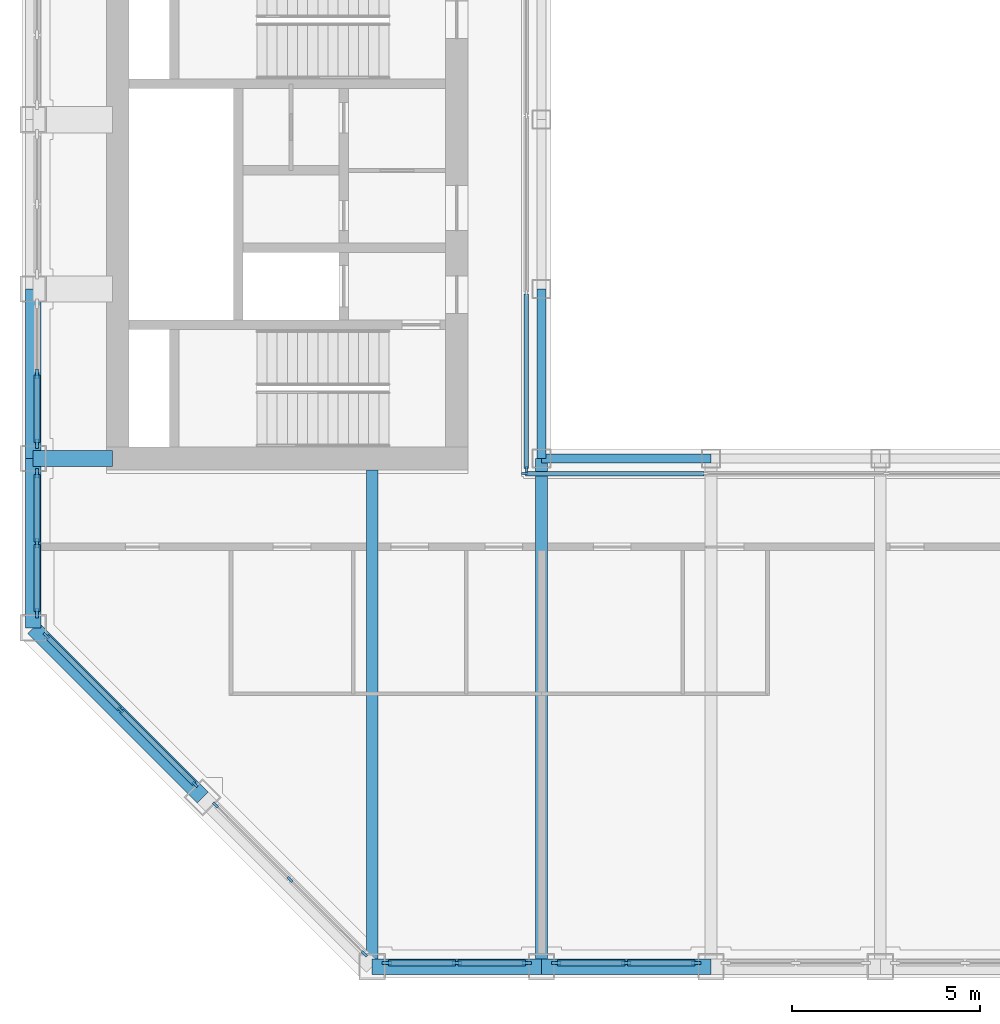
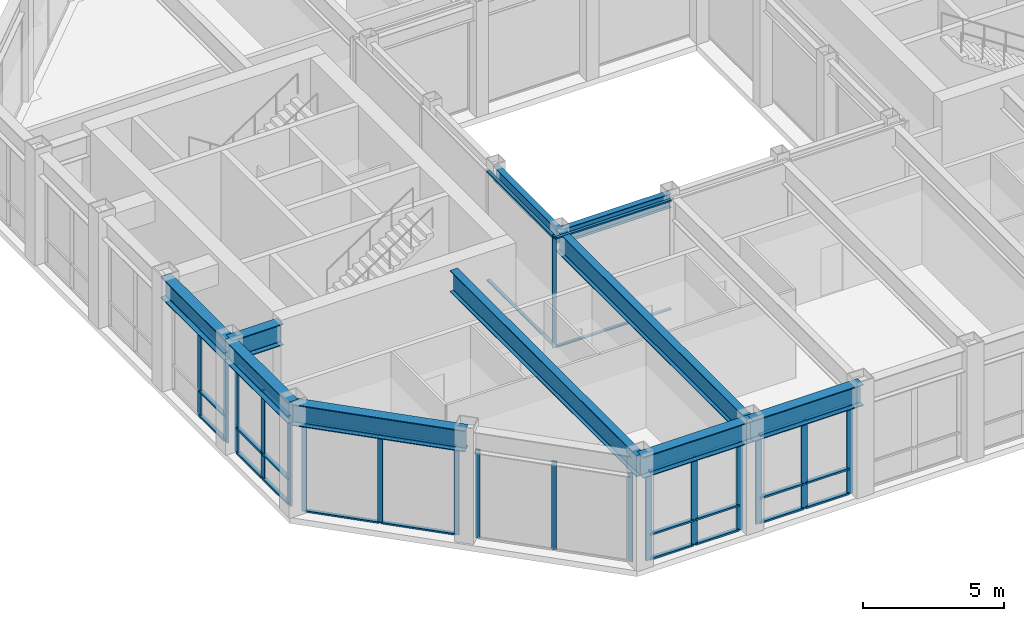
# One storey, part 2 of 15: 48 members, 10 beams, 8 elements without a shape of their own.
"""IFC4 building model written with IfcOpenShell, lengths in metres."""

from ifc_helpers import new_model, si_unit, direction, frame, origin, origin_2d, place, context, subcontext, project, spatial, rectangle, i_section, extrude, material, material_profile, profile_set, type_object, element, aggregate, save


model = new_model("IFC4")

# Units and contexts
model_context = context("Model", 3, precision=1e-05, world=origin(), true_north=direction((0.0, 1.0)))
body_context = subcontext(model_context, "Body", "Model", "MODEL_VIEW")
ifc_project = project(units=[si_unit("LENGTHUNIT", "METRE"), si_unit("AREAUNIT", "SQUARE_METRE"), si_unit("VOLUMEUNIT", "CUBIC_METRE"), si_unit("PLANEANGLEUNIT", "RADIAN"), si_unit("MASSUNIT", "GRAM", prefix="KILO")], contexts=[model_context])

# Site, building, storey
site_placement = place(None, origin())
site = spatial("IfcSite", under=ifc_project, at=site_placement, CompositionType="ELEMENT")
building_placement = place(site_placement, origin())
building = spatial("IfcBuilding", under=site, at=building_placement, Name="Msasa Ring Tower", CompositionType="ELEMENT")
storey_placement = place(building_placement, frame((0.0, 0.0, 257.050048828125)))
storey = spatial("IfcBuildingStorey", under=building, at=storey_placement, Name="L67", CompositionType="ELEMENT", Elevation=257.050048828125)

# Curtain wall, members
ifc_material_1 = material(Name="Aluminium curtain wall with clear glass", Category="aluminium")
curtain_wall_type_1 = type_object("IfcCurtainWallType", Name="CW-C CHAMFER CORNER CURTAIN WALL", PredefinedType="NOTDEFINED", material=ifc_material_1)
curtain_wall_1_placement = place(storey_placement, origin())
curtain_wall_1 = element("IfcCurtainWall", 1, at=curtain_wall_1_placement, inside=storey, type_object=curtain_wall_type_1, Name="Chamfer corner curtain wall SW L67", PredefinedType="NOTDEFINED")
ifc_material_2 = material(Name="Aluminium mullion", Category="aluminium")
ifc_material_profile_1 = material_profile(ifc_material_2, rectangle(XDim=0.06494140625, YDim=0.179931640625, at=origin_2d()), Name="AL 65x180")
ifc_profile_set_1 = profile_set([ifc_material_profile_1], Name="Aluminium mullion")
member_type_1 = type_object("IfcMemberType", Name="CW-C MULLION 65x180", PredefinedType="MULLION", material=ifc_profile_set_1)
member_1_placement = place(storey_placement, frame((-19.9052734375, -11.453369140625, 0.0), z_axis=(0.0, 0.0, 1.0), x_axis=(0.707106781187, 0.707106781187, 0.0)))
member_1 = element("IfcMember", 2, at=member_1_placement, type_object=member_type_1, Name="CW-C mullion 1", PredefinedType="MULLION", context=body_context, shape_type="SweptSolid", body=[
    extrude(rectangle(XDim=0.06494140625, YDim=0.179931640625, at=origin_2d()), origin(), (0.0, 0.0, 1.0), 3.828857421875),
])
member_2_placement = place(storey_placement, frame((-17.92919921875, -13.42919921875, 0.0), z_axis=(0.0, 0.0, 1.0), x_axis=(0.707106781187, 0.707106781187, 0.0)))
member_2 = element("IfcMember", 3, at=member_2_placement, type_object=member_type_1, Name="CW-C mullion 2", PredefinedType="MULLION", context=body_context, shape_type="SweptSolid", body=[
    extrude(rectangle(XDim=0.06494140625, YDim=0.179931640625, at=origin_2d()), origin(), (0.0, 0.0, 1.0), 3.828857421875),
])
member_3_placement = place(storey_placement, frame((-15.953369140625, -15.4052734375, 0.0), z_axis=(0.0, 0.0, 1.0), x_axis=(0.707106781187, 0.707106781187, 0.0)))
member_3 = element("IfcMember", 4, at=member_3_placement, type_object=member_type_1, Name="CW-C mullion 3", PredefinedType="MULLION", context=body_context, shape_type="SweptSolid", body=[
    extrude(rectangle(XDim=0.06494140625, YDim=0.179931640625, at=origin_2d()), origin(), (0.0, 0.0, 1.0), 3.828857421875),
])

curtain_wall_2_placement = place(storey_placement, origin())
curtain_wall_2 = element("IfcCurtainWall", 5, at=curtain_wall_2_placement, inside=storey, type_object=curtain_wall_type_1, Name="Chamfer corner curtain wall SW L67", PredefinedType="NOTDEFINED")
member_4_placement = place(storey_placement, frame((-15.4052734375, -15.953369140625, 0.0), z_axis=(0.0, 0.0, 1.0), x_axis=(0.707106781187, 0.707106781187, 0.0)))
member_4 = element("IfcMember", 6, at=member_4_placement, type_object=member_type_1, Name="CW-C mullion 1", PredefinedType="MULLION", context=body_context, shape_type="SweptSolid", body=[
    extrude(rectangle(XDim=0.06494140625, YDim=0.179931640625, at=origin_2d()), origin(), (0.0, 0.0, 1.0), 3.828857421875),
])
member_5_placement = place(storey_placement, frame((-13.42919921875, -17.92919921875, 0.0), z_axis=(0.0, 0.0, 1.0), x_axis=(0.707106781187, 0.707106781187, 0.0)))
member_5 = element("IfcMember", 7, at=member_5_placement, type_object=member_type_1, Name="CW-C mullion 2", PredefinedType="MULLION", context=body_context, shape_type="SweptSolid", body=[
    extrude(rectangle(XDim=0.06494140625, YDim=0.179931640625, at=origin_2d()), origin(), (0.0, 0.0, 1.0), 3.828857421875),
])
member_6_placement = place(storey_placement, frame((-11.453369140625, -19.9052734375, 0.0), z_axis=(0.0, 0.0, 1.0), x_axis=(0.707106781187, 0.707106781187, 0.0)))
member_6 = element("IfcMember", 8, at=member_6_placement, type_object=member_type_1, Name="CW-C mullion 3", PredefinedType="MULLION", context=body_context, shape_type="SweptSolid", body=[
    extrude(rectangle(XDim=0.06494140625, YDim=0.179931640625, at=origin_2d()), origin(), (0.0, 0.0, 1.0), 3.828857421875),
])
aggregate(curtain_wall_2, [member_4, member_5, member_6])

# Member
ifc_material_3 = material(Name="Aluminium transom", Category="aluminium")
ifc_material_profile_2 = material_profile(ifc_material_3, rectangle(XDim=0.139892578125, YDim=0.06494140625, at=origin_2d()), Name="AL 65x140")
ifc_profile_set_2 = profile_set([ifc_material_profile_2], Name="Aluminium transom")
member_type_2 = type_object("IfcMemberType", Name="CW-C TRANSOM 65x140", PredefinedType="USERDEFINED", material=ifc_profile_set_2)
member_7_placement = place(storey_placement, frame((-19.88232421875, -11.476318359375, 0.032470703125), z_axis=(0.707106781187, -0.707106781187, 0.0), x_axis=(0.707106781187, 0.707106781187, 0.0)))
member_7 = element("IfcMember", 9, at=member_7_placement, type_object=member_type_2, Name="CW-C transom 1.1", ObjectType="TRANSOM", PredefinedType="USERDEFINED", context=body_context, shape_type="SweptSolid", body=[
    extrude(rectangle(XDim=0.139892578125, YDim=0.06494140625, at=origin_2d()), origin(), (0.0, 0.0, 1.0), 2.729248046875),
])

member_8_placement = place(storey_placement, frame((-19.88232421875, -11.476318359375, 3.79638671875), z_axis=(0.707106781187, -0.707106781187, 0.0), x_axis=(0.707106781187, 0.707106781187, 0.0)))
member_8 = element("IfcMember", 10, at=member_8_placement, type_object=member_type_2, Name="CW-C transom 1.2", ObjectType="TRANSOM", PredefinedType="USERDEFINED", context=body_context, shape_type="SweptSolid", body=[
    extrude(rectangle(XDim=0.139892578125, YDim=0.06494140625, at=origin_2d()), origin(), (0.0, 0.0, 1.0), 2.729248046875),
])

member_9_placement = place(storey_placement, frame((-17.90625, -13.452392578125, 0.032470703125), z_axis=(0.707106781187, -0.707106781187, 0.0), x_axis=(0.707106781187, 0.707106781187, 0.0)))
member_9 = element("IfcMember", 11, at=member_9_placement, type_object=member_type_2, Name="CW-C transom 2.1", ObjectType="TRANSOM", PredefinedType="USERDEFINED", context=body_context, shape_type="SweptSolid", body=[
    extrude(rectangle(XDim=0.139892578125, YDim=0.06494140625, at=origin_2d()), origin(), (0.0, 0.0, 1.0), 2.729248046875),
])

member_10_placement = place(storey_placement, frame((-17.90625, -13.452392578125, 3.79638671875), z_axis=(0.707106781187, -0.707106781187, 0.0), x_axis=(0.707106781187, 0.707106781187, 0.0)))
member_10 = element("IfcMember", 12, at=member_10_placement, type_object=member_type_2, Name="CW-C transom 2.2", ObjectType="TRANSOM", PredefinedType="USERDEFINED", context=body_context, shape_type="SweptSolid", body=[
    extrude(rectangle(XDim=0.139892578125, YDim=0.06494140625, at=origin_2d()), origin(), (0.0, 0.0, 1.0), 2.729248046875),
])

aggregate(curtain_wall_1, [member_1, member_2, member_3, member_7, member_8, member_9, member_10])

# Curtain wall, members
ifc_material_4 = material(Name="Aluminium curtain wall with clear glass", Category="aluminium")
curtain_wall_type_2 = type_object("IfcCurtainWallType", Name="CW-S SKY LOBBY CURTAIN WALL", PredefinedType="NOTDEFINED", material=ifc_material_4)
curtain_wall_3_placement = place(storey_placement, origin())
curtain_wall_3 = element("IfcCurtainWall", 13, at=curtain_wall_3_placement, inside=storey, type_object=curtain_wall_type_2, Name="Sky lobby curtain wall S L67", PredefinedType="NOTDEFINED")
ifc_material_5 = material(Name="Aluminium mullion", Category="aluminium")
ifc_material_profile_3 = material_profile(ifc_material_5, rectangle(XDim=0.074951171875, YDim=0.25, at=origin_2d()), Name="AL 75x250")
ifc_profile_set_3 = profile_set([ifc_material_profile_3], Name="Aluminium mullion")
member_type_3 = type_object("IfcMemberType", Name="CW-S MULLION 75x250", PredefinedType="MULLION", material=ifc_profile_set_3)
member_11_placement = place(storey_placement, frame((-10.857421875, -20.14990234375, 0.0), z_axis=(0.0, 0.0, 1.0), x_axis=(0.0, 1.0, 0.0)))
member_11 = element("IfcMember", 14, at=member_11_placement, type_object=member_type_3, Name="CW-S mullion 1", PredefinedType="MULLION", context=body_context, shape_type="SweptSolid", body=[
    extrude(rectangle(XDim=0.074951171875, YDim=0.25, at=origin_2d()), origin(), (0.0, 0.0, 1.0), 3.828857421875),
])
member_12_placement = place(storey_placement, frame((-9.0, -20.14990234375, 0.0), z_axis=(0.0, 0.0, 1.0), x_axis=(0.0, 1.0, 0.0)))
member_12 = element("IfcMember", 15, at=member_12_placement, type_object=member_type_3, Name="CW-S mullion 2", PredefinedType="MULLION", context=body_context, shape_type="SweptSolid", body=[
    extrude(rectangle(XDim=0.074951171875, YDim=0.25, at=origin_2d()), origin(), (0.0, 0.0, 1.0), 3.828857421875),
])
member_13_placement = place(storey_placement, frame((-7.142578125, -20.14990234375, 0.0), z_axis=(0.0, 0.0, 1.0), x_axis=(0.0, 1.0, 0.0)))
member_13 = element("IfcMember", 16, at=member_13_placement, type_object=member_type_3, Name="CW-S mullion 3", PredefinedType="MULLION", context=body_context, shape_type="SweptSolid", body=[
    extrude(rectangle(XDim=0.074951171875, YDim=0.25, at=origin_2d()), origin(), (0.0, 0.0, 1.0), 3.828857421875),
])

curtain_wall_4_placement = place(storey_placement, origin())
curtain_wall_4 = element("IfcCurtainWall", 17, at=curtain_wall_4_placement, inside=storey, type_object=curtain_wall_type_2, Name="Sky lobby curtain wall S L67", PredefinedType="NOTDEFINED")
member_14_placement = place(storey_placement, frame((-6.357421875, -20.14990234375, 0.0), z_axis=(0.0, 0.0, 1.0), x_axis=(0.0, 1.0, 0.0)))
member_14 = element("IfcMember", 18, at=member_14_placement, type_object=member_type_3, Name="CW-S mullion 1", PredefinedType="MULLION", context=body_context, shape_type="SweptSolid", body=[
    extrude(rectangle(XDim=0.074951171875, YDim=0.25, at=origin_2d()), origin(), (0.0, 0.0, 1.0), 3.828857421875),
])
member_15_placement = place(storey_placement, frame((-4.5, -20.14990234375, 0.0), z_axis=(0.0, 0.0, 1.0), x_axis=(0.0, 1.0, 0.0)))
member_15 = element("IfcMember", 19, at=member_15_placement, type_object=member_type_3, Name="CW-S mullion 2", PredefinedType="MULLION", context=body_context, shape_type="SweptSolid", body=[
    extrude(rectangle(XDim=0.074951171875, YDim=0.25, at=origin_2d()), origin(), (0.0, 0.0, 1.0), 3.828857421875),
])
member_16_placement = place(storey_placement, frame((-2.642578125, -20.14990234375, 0.0), z_axis=(0.0, 0.0, 1.0), x_axis=(0.0, 1.0, 0.0)))
member_16 = element("IfcMember", 20, at=member_16_placement, type_object=member_type_3, Name="CW-S mullion 3", PredefinedType="MULLION", context=body_context, shape_type="SweptSolid", body=[
    extrude(rectangle(XDim=0.074951171875, YDim=0.25, at=origin_2d()), origin(), (0.0, 0.0, 1.0), 3.828857421875),
])

curtain_wall_5_placement = place(storey_placement, origin())
curtain_wall_5 = element("IfcCurtainWall", 21, at=curtain_wall_5_placement, inside=storey, type_object=curtain_wall_type_2, Name="Sky lobby curtain wall W L67", PredefinedType="NOTDEFINED")
member_17_placement = place(storey_placement, frame((-20.14990234375, -10.857421875, 0.0), z_axis=(0.0, 0.0, 1.0), x_axis=(-1.0, 0.0, 0.0)))
member_17 = element("IfcMember", 22, at=member_17_placement, type_object=member_type_3, Name="CW-S mullion 1", PredefinedType="MULLION", context=body_context, shape_type="SweptSolid", body=[
    extrude(rectangle(XDim=0.074951171875, YDim=0.25, at=origin_2d()), origin(), (0.0, 0.0, 1.0), 3.828857421875),
])
member_18_placement = place(storey_placement, frame((-20.14990234375, -9.0, 0.0), z_axis=(0.0, 0.0, 1.0), x_axis=(-1.0, 0.0, 0.0)))
member_18 = element("IfcMember", 23, at=member_18_placement, type_object=member_type_3, Name="CW-S mullion 2", PredefinedType="MULLION", context=body_context, shape_type="SweptSolid", body=[
    extrude(rectangle(XDim=0.074951171875, YDim=0.25, at=origin_2d()), origin(), (0.0, 0.0, 1.0), 3.828857421875),
])
member_19_placement = place(storey_placement, frame((-20.14990234375, -7.142578125, 0.0), z_axis=(0.0, 0.0, 1.0), x_axis=(-1.0, 0.0, 0.0)))
member_19 = element("IfcMember", 24, at=member_19_placement, type_object=member_type_3, Name="CW-S mullion 3", PredefinedType="MULLION", context=body_context, shape_type="SweptSolid", body=[
    extrude(rectangle(XDim=0.074951171875, YDim=0.25, at=origin_2d()), origin(), (0.0, 0.0, 1.0), 3.828857421875),
])

curtain_wall_6_placement = place(storey_placement, origin())
curtain_wall_6 = element("IfcCurtainWall", 25, at=curtain_wall_6_placement, inside=storey, type_object=curtain_wall_type_2, Name="Sky lobby curtain wall W L67", PredefinedType="NOTDEFINED")
member_20_placement = place(storey_placement, frame((-20.14990234375, -6.357421875, 0.0), z_axis=(0.0, 0.0, 1.0), x_axis=(-1.0, 0.0, 0.0)))
member_20 = element("IfcMember", 26, at=member_20_placement, type_object=member_type_3, Name="CW-S mullion 1", PredefinedType="MULLION", context=body_context, shape_type="SweptSolid", body=[
    extrude(rectangle(XDim=0.074951171875, YDim=0.25, at=origin_2d()), origin(), (0.0, 0.0, 1.0), 3.828857421875),
])
member_21_placement = place(storey_placement, frame((-20.14990234375, -4.5, 0.0), z_axis=(0.0, 0.0, 1.0), x_axis=(-1.0, 0.0, 0.0)))
member_21 = element("IfcMember", 27, at=member_21_placement, type_object=member_type_3, Name="CW-S mullion 2", PredefinedType="MULLION", context=body_context, shape_type="SweptSolid", body=[
    extrude(rectangle(XDim=0.074951171875, YDim=0.25, at=origin_2d()), origin(), (0.0, 0.0, 1.0), 3.828857421875),
])

# Member
ifc_material_6 = material(Name="Aluminium transom", Category="aluminium")
ifc_material_profile_4 = material_profile(ifc_material_6, rectangle(XDim=0.159912109375, YDim=0.074951171875, at=origin_2d()), Name="AL 75x160")
ifc_profile_set_4 = profile_set([ifc_material_profile_4], Name="Aluminium transom")
member_type_4 = type_object("IfcMemberType", Name="CW-S TRANSOM 75x160", PredefinedType="USERDEFINED", material=ifc_profile_set_4)
member_22_placement = place(storey_placement, frame((-10.820068359375, -20.14990234375, 0.037353515625), z_axis=(1.0, 0.0, 0.0), x_axis=(0.0, 1.0, 0.0)))
member_22 = element("IfcMember", 28, at=member_22_placement, type_object=member_type_4, Name="CW-S transom 1.1", ObjectType="TRANSOM", PredefinedType="USERDEFINED", context=body_context, shape_type="SweptSolid", body=[
    extrude(rectangle(XDim=0.159912109375, YDim=0.074951171875, at=origin_2d()), origin(), (0.0, 0.0, 1.0), 1.782470703125),
])

member_23_placement = place(storey_placement, frame((-10.820068359375, -20.14990234375, 1.099853515625), z_axis=(1.0, 0.0, 0.0), x_axis=(0.0, 1.0, 0.0)))
member_23 = element("IfcMember", 29, at=member_23_placement, type_object=member_type_4, Name="CW-S transom 1.2", ObjectType="TRANSOM", PredefinedType="USERDEFINED", context=body_context, shape_type="SweptSolid", body=[
    extrude(rectangle(XDim=0.159912109375, YDim=0.074951171875, at=origin_2d()), origin(), (0.0, 0.0, 1.0), 1.782470703125),
])

member_24_placement = place(storey_placement, frame((-10.820068359375, -20.14990234375, 3.79150390625), z_axis=(1.0, 0.0, 0.0), x_axis=(0.0, 1.0, 0.0)))
member_24 = element("IfcMember", 30, at=member_24_placement, type_object=member_type_4, Name="CW-S transom 1.3", ObjectType="TRANSOM", PredefinedType="USERDEFINED", context=body_context, shape_type="SweptSolid", body=[
    extrude(rectangle(XDim=0.159912109375, YDim=0.074951171875, at=origin_2d()), origin(), (0.0, 0.0, 1.0), 1.782470703125),
])

member_25_placement = place(storey_placement, frame((-8.96240234375, -20.14990234375, 0.037353515625), z_axis=(1.0, 0.0, 0.0), x_axis=(0.0, 1.0, 0.0)))
member_25 = element("IfcMember", 31, at=member_25_placement, type_object=member_type_4, Name="CW-S transom 2.1", ObjectType="TRANSOM", PredefinedType="USERDEFINED", context=body_context, shape_type="SweptSolid", body=[
    extrude(rectangle(XDim=0.159912109375, YDim=0.074951171875, at=origin_2d()), origin(), (0.0, 0.0, 1.0), 1.782470703125),
])

member_26_placement = place(storey_placement, frame((-8.96240234375, -20.14990234375, 1.099853515625), z_axis=(1.0, 0.0, 0.0), x_axis=(0.0, 1.0, 0.0)))
member_26 = element("IfcMember", 32, at=member_26_placement, type_object=member_type_4, Name="CW-S transom 2.2", ObjectType="TRANSOM", PredefinedType="USERDEFINED", context=body_context, shape_type="SweptSolid", body=[
    extrude(rectangle(XDim=0.159912109375, YDim=0.074951171875, at=origin_2d()), origin(), (0.0, 0.0, 1.0), 1.782470703125),
])

member_27_placement = place(storey_placement, frame((-8.96240234375, -20.14990234375, 3.79150390625), z_axis=(1.0, 0.0, 0.0), x_axis=(0.0, 1.0, 0.0)))
member_27 = element("IfcMember", 33, at=member_27_placement, type_object=member_type_4, Name="CW-S transom 2.3", ObjectType="TRANSOM", PredefinedType="USERDEFINED", context=body_context, shape_type="SweptSolid", body=[
    extrude(rectangle(XDim=0.159912109375, YDim=0.074951171875, at=origin_2d()), origin(), (0.0, 0.0, 1.0), 1.782470703125),
])

aggregate(curtain_wall_3, [member_11, member_12, member_13, member_22, member_23, member_24, member_25, member_26, member_27])

member_28_placement = place(storey_placement, frame((-6.320068359375, -20.14990234375, 0.037353515625), z_axis=(1.0, 0.0, 0.0), x_axis=(0.0, 1.0, 0.0)))
member_28 = element("IfcMember", 34, at=member_28_placement, type_object=member_type_4, Name="CW-S transom 1.1", ObjectType="TRANSOM", PredefinedType="USERDEFINED", context=body_context, shape_type="SweptSolid", body=[
    extrude(rectangle(XDim=0.159912109375, YDim=0.074951171875, at=origin_2d()), origin(), (0.0, 0.0, 1.0), 1.782470703125),
])

member_29_placement = place(storey_placement, frame((-6.320068359375, -20.14990234375, 1.099853515625), z_axis=(1.0, 0.0, 0.0), x_axis=(0.0, 1.0, 0.0)))
member_29 = element("IfcMember", 35, at=member_29_placement, type_object=member_type_4, Name="CW-S transom 1.2", ObjectType="TRANSOM", PredefinedType="USERDEFINED", context=body_context, shape_type="SweptSolid", body=[
    extrude(rectangle(XDim=0.159912109375, YDim=0.074951171875, at=origin_2d()), origin(), (0.0, 0.0, 1.0), 1.782470703125),
])

member_30_placement = place(storey_placement, frame((-6.320068359375, -20.14990234375, 3.79150390625), z_axis=(1.0, 0.0, 0.0), x_axis=(0.0, 1.0, 0.0)))
member_30 = element("IfcMember", 36, at=member_30_placement, type_object=member_type_4, Name="CW-S transom 1.3", ObjectType="TRANSOM", PredefinedType="USERDEFINED", context=body_context, shape_type="SweptSolid", body=[
    extrude(rectangle(XDim=0.159912109375, YDim=0.074951171875, at=origin_2d()), origin(), (0.0, 0.0, 1.0), 1.782470703125),
])

member_31_placement = place(storey_placement, frame((-4.46240234375, -20.14990234375, 0.037353515625), z_axis=(1.0, 0.0, 0.0), x_axis=(0.0, 1.0, 0.0)))
member_31 = element("IfcMember", 37, at=member_31_placement, type_object=member_type_4, Name="CW-S transom 2.1", ObjectType="TRANSOM", PredefinedType="USERDEFINED", context=body_context, shape_type="SweptSolid", body=[
    extrude(rectangle(XDim=0.159912109375, YDim=0.074951171875, at=origin_2d()), origin(), (0.0, 0.0, 1.0), 1.782470703125),
])

member_32_placement = place(storey_placement, frame((-4.46240234375, -20.14990234375, 1.099853515625), z_axis=(1.0, 0.0, 0.0), x_axis=(0.0, 1.0, 0.0)))
member_32 = element("IfcMember", 38, at=member_32_placement, type_object=member_type_4, Name="CW-S transom 2.2", ObjectType="TRANSOM", PredefinedType="USERDEFINED", context=body_context, shape_type="SweptSolid", body=[
    extrude(rectangle(XDim=0.159912109375, YDim=0.074951171875, at=origin_2d()), origin(), (0.0, 0.0, 1.0), 1.782470703125),
])

member_33_placement = place(storey_placement, frame((-4.46240234375, -20.14990234375, 3.79150390625), z_axis=(1.0, 0.0, 0.0), x_axis=(0.0, 1.0, 0.0)))
member_33 = element("IfcMember", 39, at=member_33_placement, type_object=member_type_4, Name="CW-S transom 2.3", ObjectType="TRANSOM", PredefinedType="USERDEFINED", context=body_context, shape_type="SweptSolid", body=[
    extrude(rectangle(XDim=0.159912109375, YDim=0.074951171875, at=origin_2d()), origin(), (0.0, 0.0, 1.0), 1.782470703125),
])

aggregate(curtain_wall_4, [member_14, member_15, member_16, member_28, member_29, member_30, member_31, member_32, member_33])

member_34_placement = place(storey_placement, frame((-20.14990234375, -10.820068359375, 0.037353515625), z_axis=(0.0, 1.0, 0.0), x_axis=(-1.0, 0.0, 0.0)))
member_34 = element("IfcMember", 40, at=member_34_placement, type_object=member_type_4, Name="CW-S transom 1.1", ObjectType="TRANSOM", PredefinedType="USERDEFINED", context=body_context, shape_type="SweptSolid", body=[
    extrude(rectangle(XDim=0.159912109375, YDim=0.074951171875, at=origin_2d()), origin(), (0.0, 0.0, 1.0), 1.782470703125),
])

member_35_placement = place(storey_placement, frame((-20.14990234375, -10.820068359375, 1.099853515625), z_axis=(0.0, 1.0, 0.0), x_axis=(-1.0, 0.0, 0.0)))
member_35 = element("IfcMember", 41, at=member_35_placement, type_object=member_type_4, Name="CW-S transom 1.2", ObjectType="TRANSOM", PredefinedType="USERDEFINED", context=body_context, shape_type="SweptSolid", body=[
    extrude(rectangle(XDim=0.159912109375, YDim=0.074951171875, at=origin_2d()), origin(), (0.0, 0.0, 1.0), 1.782470703125),
])

member_36_placement = place(storey_placement, frame((-20.14990234375, -10.820068359375, 3.79150390625), z_axis=(0.0, 1.0, 0.0), x_axis=(-1.0, 0.0, 0.0)))
member_36 = element("IfcMember", 42, at=member_36_placement, type_object=member_type_4, Name="CW-S transom 1.3", ObjectType="TRANSOM", PredefinedType="USERDEFINED", context=body_context, shape_type="SweptSolid", body=[
    extrude(rectangle(XDim=0.159912109375, YDim=0.074951171875, at=origin_2d()), origin(), (0.0, 0.0, 1.0), 1.782470703125),
])

member_37_placement = place(storey_placement, frame((-20.14990234375, -8.96240234375, 0.037353515625), z_axis=(0.0, 1.0, 0.0), x_axis=(-1.0, 0.0, 0.0)))
member_37 = element("IfcMember", 43, at=member_37_placement, type_object=member_type_4, Name="CW-S transom 2.1", ObjectType="TRANSOM", PredefinedType="USERDEFINED", context=body_context, shape_type="SweptSolid", body=[
    extrude(rectangle(XDim=0.159912109375, YDim=0.074951171875, at=origin_2d()), origin(), (0.0, 0.0, 1.0), 1.782470703125),
])

member_38_placement = place(storey_placement, frame((-20.14990234375, -8.96240234375, 1.099853515625), z_axis=(0.0, 1.0, 0.0), x_axis=(-1.0, 0.0, 0.0)))
member_38 = element("IfcMember", 44, at=member_38_placement, type_object=member_type_4, Name="CW-S transom 2.2", ObjectType="TRANSOM", PredefinedType="USERDEFINED", context=body_context, shape_type="SweptSolid", body=[
    extrude(rectangle(XDim=0.159912109375, YDim=0.074951171875, at=origin_2d()), origin(), (0.0, 0.0, 1.0), 1.782470703125),
])

member_39_placement = place(storey_placement, frame((-20.14990234375, -8.96240234375, 3.79150390625), z_axis=(0.0, 1.0, 0.0), x_axis=(-1.0, 0.0, 0.0)))
member_39 = element("IfcMember", 45, at=member_39_placement, type_object=member_type_4, Name="CW-S transom 2.3", ObjectType="TRANSOM", PredefinedType="USERDEFINED", context=body_context, shape_type="SweptSolid", body=[
    extrude(rectangle(XDim=0.159912109375, YDim=0.074951171875, at=origin_2d()), origin(), (0.0, 0.0, 1.0), 1.782470703125),
])

aggregate(curtain_wall_5, [member_17, member_18, member_19, member_34, member_35, member_36, member_37, member_38, member_39])

member_40_placement = place(storey_placement, frame((-20.14990234375, -6.320068359375, 0.037353515625), z_axis=(0.0, 1.0, 0.0), x_axis=(-1.0, 0.0, 0.0)))
member_40 = element("IfcMember", 46, at=member_40_placement, type_object=member_type_4, Name="CW-S transom 1.1", ObjectType="TRANSOM", PredefinedType="USERDEFINED", context=body_context, shape_type="SweptSolid", body=[
    extrude(rectangle(XDim=0.159912109375, YDim=0.074951171875, at=origin_2d()), origin(), (0.0, 0.0, 1.0), 1.782470703125),
])

member_41_placement = place(storey_placement, frame((-20.14990234375, -6.320068359375, 1.099853515625), z_axis=(0.0, 1.0, 0.0), x_axis=(-1.0, 0.0, 0.0)))
member_41 = element("IfcMember", 47, at=member_41_placement, type_object=member_type_4, Name="CW-S transom 1.2", ObjectType="TRANSOM", PredefinedType="USERDEFINED", context=body_context, shape_type="SweptSolid", body=[
    extrude(rectangle(XDim=0.159912109375, YDim=0.074951171875, at=origin_2d()), origin(), (0.0, 0.0, 1.0), 1.782470703125),
])

member_42_placement = place(storey_placement, frame((-20.14990234375, -6.320068359375, 3.79150390625), z_axis=(0.0, 1.0, 0.0), x_axis=(-1.0, 0.0, 0.0)))
member_42 = element("IfcMember", 48, at=member_42_placement, type_object=member_type_4, Name="CW-S transom 1.3", ObjectType="TRANSOM", PredefinedType="USERDEFINED", context=body_context, shape_type="SweptSolid", body=[
    extrude(rectangle(XDim=0.159912109375, YDim=0.074951171875, at=origin_2d()), origin(), (0.0, 0.0, 1.0), 1.782470703125),
])

aggregate(curtain_wall_6, [member_20, member_21, member_40, member_41, member_42])

# Curtain wall, member
ifc_material_7 = material(Name="Aluminium curtain wall with clear glass", Category="aluminium")
curtain_wall_type_3 = type_object("IfcCurtainWallType", Name="CW-W LIGHT WELL CURTAIN WALL", PredefinedType="NOTDEFINED", material=ifc_material_7)
curtain_wall_7_placement = place(storey_placement, origin())
curtain_wall_7 = element("IfcCurtainWall", 49, at=curtain_wall_7_placement, inside=storey, type_object=curtain_wall_type_3, Name="Light well curtain wall S L67", PredefinedType="NOTDEFINED")
ifc_material_8 = material(Name="Aluminium mullion", Category="aluminium")
ifc_material_profile_5 = material_profile(ifc_material_8, rectangle(XDim=0.06005859375, YDim=0.159912109375, at=origin_2d()), Name="AL 60x160")
ifc_profile_set_5 = profile_set([ifc_material_profile_5], Name="Aluminium mullion")
member_type_5 = type_object("IfcMemberType", Name="CW-W MULLION 60x160", PredefinedType="MULLION", material=ifc_profile_set_5)
member_43_placement = place(storey_placement, frame((-7.199951171875, -7.14990234375, 0.0), z_axis=(0.0, 0.0, 1.0), x_axis=(0.0, 1.0, 0.0)))
member_43 = element("IfcMember", 50, at=member_43_placement, type_object=member_type_5, Name="CW-W mullion 1", PredefinedType="MULLION", context=body_context, shape_type="SweptSolid", body=[
    extrude(rectangle(XDim=0.06005859375, YDim=0.159912109375, at=origin_2d()), origin(), (0.0, 0.0, 1.0), 4.75),
])

curtain_wall_8_placement = place(storey_placement, origin())
curtain_wall_8 = element("IfcCurtainWall", 51, at=curtain_wall_8_placement, inside=storey, type_object=curtain_wall_type_3, Name="Light well curtain wall W L67", PredefinedType="NOTDEFINED")
member_44_placement = place(storey_placement, frame((-7.14990234375, -7.0400390625, 0.0), z_axis=(0.0, 0.0, 1.0), x_axis=(-1.0, 0.0, 0.0)))
member_44 = element("IfcMember", 52, at=member_44_placement, type_object=member_type_5, Name="CW-W mullion 1", PredefinedType="MULLION", context=body_context, shape_type="SweptSolid", body=[
    extrude(rectangle(XDim=0.06005859375, YDim=0.159912109375, at=origin_2d()), origin(), (0.0, 0.0, 1.0), 4.75),
])

# Member
ifc_material_9 = material(Name="Aluminium transom", Category="aluminium")
ifc_material_profile_6 = material_profile(ifc_material_9, rectangle(XDim=0.1201171875, YDim=0.06005859375, at=origin_2d()), Name="AL 60x120")
ifc_profile_set_6 = profile_set([ifc_material_profile_6], Name="Aluminium transom")
member_type_6 = type_object("IfcMemberType", Name="CW-W TRANSOM 60x120", PredefinedType="USERDEFINED", material=ifc_profile_set_6)
member_45_placement = place(storey_placement, frame((-7.169921875, -7.14990234375, 0.030029296875), z_axis=(1.0, 0.0, 0.0), x_axis=(0.0, 1.0, 0.0)))
member_45 = element("IfcMember", 53, at=member_45_placement, type_object=member_type_6, Name="CW-W transom 1.1", ObjectType="TRANSOM", PredefinedType="USERDEFINED", context=body_context, shape_type="SweptSolid", body=[
    extrude(rectangle(XDim=0.1201171875, YDim=0.06005859375, at=origin_2d()), origin(), (0.0, 0.0, 1.0), 4.72998046875),
])

member_46_placement = place(storey_placement, frame((-7.169921875, -7.14990234375, 4.719970703125), z_axis=(1.0, 0.0, 0.0), x_axis=(0.0, 1.0, 0.0)))
member_46 = element("IfcMember", 54, at=member_46_placement, type_object=member_type_6, Name="CW-W transom 1.2", ObjectType="TRANSOM", PredefinedType="USERDEFINED", context=body_context, shape_type="SweptSolid", body=[
    extrude(rectangle(XDim=0.1201171875, YDim=0.06005859375, at=origin_2d()), origin(), (0.0, 0.0, 1.0), 4.72998046875),
])

aggregate(curtain_wall_7, [member_43, member_45, member_46])

member_47_placement = place(storey_placement, frame((-7.14990234375, -7.010009765625, 0.030029296875), z_axis=(0.0, 1.0, 0.0), x_axis=(-1.0, 0.0, 0.0)))
member_47 = element("IfcMember", 55, at=member_47_placement, type_object=member_type_6, Name="CW-W transom 1.1", ObjectType="TRANSOM", PredefinedType="USERDEFINED", context=body_context, shape_type="SweptSolid", body=[
    extrude(rectangle(XDim=0.1201171875, YDim=0.06005859375, at=origin_2d()), origin(), (0.0, 0.0, 1.0), 4.623291015625),
])

member_48_placement = place(storey_placement, frame((-7.14990234375, -7.010009765625, 4.719970703125), z_axis=(0.0, 1.0, 0.0), x_axis=(-1.0, 0.0, 0.0)))
member_48 = element("IfcMember", 56, at=member_48_placement, type_object=member_type_6, Name="CW-W transom 1.2", ObjectType="TRANSOM", PredefinedType="USERDEFINED", context=body_context, shape_type="SweptSolid", body=[
    extrude(rectangle(XDim=0.1201171875, YDim=0.06005859375, at=origin_2d()), origin(), (0.0, 0.0, 1.0), 4.623291015625),
])

aggregate(curtain_wall_8, [member_44, member_47, member_48])

# Beams
ifc_material_10 = material(Name="Steel S355", Category="steel")
ifc_material_profile_7 = material_profile(ifc_material_10, i_section(OverallWidth=0.3076171875, OverallDepth=0.926513671875, WebThickness=0.01953125, FlangeThickness=0.031982421875, FilletRadius=0.01904296875, at=origin_2d()), Name="UB 914x305x289")
ifc_profile_set_7 = profile_set([ifc_material_profile_7], Name="Steel S355")
beam_type_1 = type_object("IfcBeamType", Name="FB3 UB 914x305x289", PredefinedType="BEAM", material=ifc_profile_set_7)
beam_1_placement = place(storey_placement, frame((-11.25, -20.25, 4.28662109375), z_axis=(0.0, 1.0, 0.0), x_axis=(-1.0, 0.0, 0.0)))
element("IfcBeam", 57, at=beam_1_placement, inside=storey, type_object=beam_type_1, Name="Floor beam S-11.25 under L68", PredefinedType="BEAM", context=body_context, shape_type="SweptSolid", body=[
    extrude(i_section(OverallWidth=0.3076171875, OverallDepth=0.926513671875, WebThickness=0.01953125, FlangeThickness=0.031982421875, FilletRadius=0.01904296875, at=origin_2d()), origin(), (0.0, 0.0, 1.0), 13.199951171875),
])
beam_2_placement = place(storey_placement, frame((-6.75, -20.25, 4.28662109375), z_axis=(0.0, 1.0, 0.0), x_axis=(-1.0, 0.0, 0.0)))
element("IfcBeam", 58, at=beam_2_placement, inside=storey, type_object=beam_type_1, Name="Floor beam S-6.75 under L68", PredefinedType="BEAM", context=body_context, shape_type="SweptSolid", body=[
    extrude(i_section(OverallWidth=0.3076171875, OverallDepth=0.926513671875, WebThickness=0.01953125, FlangeThickness=0.031982421875, FilletRadius=0.01904296875, at=origin_2d()), origin(), (0.0, 0.0, 1.0), 13.5),
])
ifc_material_11 = material(Name="Steel S355", Category="steel")
ifc_material_profile_8 = material_profile(ifc_material_11, i_section(OverallWidth=0.42041015625, OverallDepth=0.9208984375, WebThickness=0.021484375, FlangeThickness=0.03662109375, FilletRadius=0.024169921875, at=origin_2d()), Name="UB 914x419x388")
ifc_profile_set_8 = profile_set([ifc_material_profile_8], Name="Steel S355")
beam_type_2 = type_object("IfcBeamType", Name="GB1 UB 914x419x388", PredefinedType="BEAM", material=ifc_profile_set_8)
beam_3_placement = place(storey_placement, frame((-18.14990234375, -6.75, 4.28955078125), z_axis=(-1.0, 0.0, 0.0), x_axis=(0.0, -1.0, 0.0)))
element("IfcBeam", 59, at=beam_3_placement, inside=storey, type_object=beam_type_2, Name="Girder W -6.75 under L68", PredefinedType="BEAM", context=body_context, shape_type="SweptSolid", body=[
    extrude(i_section(OverallWidth=0.42041015625, OverallDepth=0.9208984375, WebThickness=0.021484375, FlangeThickness=0.03662109375, FilletRadius=0.024169921875, at=origin_2d()), origin(), (0.0, 0.0, 1.0), 2.10009765625),
])
ifc_material_12 = material(Name="Steel S355", Category="steel")
ifc_material_profile_9 = material_profile(ifc_material_12, i_section(OverallWidth=0.230224609375, OverallDepth=0.6171875, WebThickness=0.01318359375, FlangeThickness=0.022216796875, FilletRadius=0.0126953125, at=origin_2d()), Name="UB 610x229x140")
ifc_profile_set_9 = profile_set([ifc_material_profile_9], Name="Steel S355")
beam_type_3 = type_object("IfcBeamType", Name="RB1 UB 610x229x140", PredefinedType="BEAM", material=ifc_profile_set_9)
for number, where, z_axis, x_axis, name in (
    (60, (-6.75, -2.25, 4.44140625), (0.0, -1.0, 0.0), (1.0, 0.0, 0.0), "Inner ring beam IR-6.75-2.25 under L68"),
    (61, (-6.75, -6.75, 4.44140625), (1.0, 0.0, 0.0), (0.0, 1.0, 0.0), "Inner ring beam IR-6.75-6.75 under L68"),
):
    element("IfcBeam", number, at=place(storey_placement, frame(where, z_axis=z_axis, x_axis=x_axis)), inside=storey, type_object=beam_type_3, Name=name, PredefinedType="BEAM", context=body_context, shape_type="SweptSolid", body=[
        extrude(i_section(OverallWidth=0.230224609375, OverallDepth=0.6171875, WebThickness=0.01318359375, FlangeThickness=0.022216796875, FilletRadius=0.0126953125, at=origin_2d()), origin(), (0.0, 0.0, 1.0), 4.5),
    ])
ifc_material_13 = material(Name="Steel S355", Category="steel")
ifc_material_profile_10 = material_profile(ifc_material_13, i_section(OverallWidth=0.42041015625, OverallDepth=0.9208984375, WebThickness=0.021484375, FlangeThickness=0.03662109375, FilletRadius=0.024169921875, at=origin_2d()), Name="UB 914x419x388")
ifc_profile_set_10 = profile_set([ifc_material_profile_10], Name="Steel S355")
beam_type_4 = type_object("IfcBeamType", Name="SB1 UB 914x419x388", PredefinedType="SPANDREL", material=ifc_profile_set_10)
for number, where, z_axis, x_axis, name in (
    (62, (-20.25, -2.25, 4.28955078125), (0.0, -1.0, 0.0), (1.0, 0.0, 0.0), "Spandrel W-2.25 to W-6.75 under L68"),
    (63, (-20.25, -6.75, 4.28955078125), (0.0, -1.0, 0.0), (1.0, 0.0, 0.0), "Spandrel W-6.75 to W-11.25 under L68"),
):
    element("IfcBeam", number, at=place(storey_placement, frame(where, z_axis=z_axis, x_axis=x_axis)), inside=storey, type_object=beam_type_4, Name=name, PredefinedType="SPANDREL", context=body_context, shape_type="SweptSolid", body=[
        extrude(i_section(OverallWidth=0.42041015625, OverallDepth=0.9208984375, WebThickness=0.021484375, FlangeThickness=0.03662109375, FilletRadius=0.024169921875, at=origin_2d()), origin(), (0.0, 0.0, 1.0), 4.5),
    ])
beam_4_placement = place(storey_placement, frame((-20.25, -11.25, 4.28955078125), z_axis=(0.707106781187, -0.707106781187, 0.0), x_axis=(0.707106781187, 0.707106781187, 0.0)))
element("IfcBeam", 64, at=beam_4_placement, inside=storey, type_object=beam_type_4, Name="Spandrel W-11.25 to SW under L68", PredefinedType="SPANDREL", context=body_context, shape_type="SweptSolid", body=[
    extrude(i_section(OverallWidth=0.42041015625, OverallDepth=0.9208984375, WebThickness=0.021484375, FlangeThickness=0.03662109375, FilletRadius=0.024169921875, at=origin_2d()), origin(), (0.0, 0.0, 1.0), 6.364013671875),
])
for number, where, z_axis, x_axis, name in (
    (65, (-11.25, -20.25, 4.28955078125), (1.0, 0.0, 0.0), (0.0, 1.0, 0.0), "Spandrel S-11.25 to S-6.75 under L68"),
    (66, (-6.75, -20.25, 4.28955078125), (1.0, 0.0, 0.0), (0.0, 1.0, 0.0), "Spandrel S-6.75 to S-2.25 under L68"),
):
    element("IfcBeam", number, at=place(storey_placement, frame(where, z_axis=z_axis, x_axis=x_axis)), inside=storey, type_object=beam_type_4, Name=name, PredefinedType="SPANDREL", context=body_context, shape_type="SweptSolid", body=[
        extrude(i_section(OverallWidth=0.42041015625, OverallDepth=0.9208984375, WebThickness=0.021484375, FlangeThickness=0.03662109375, FilletRadius=0.024169921875, at=origin_2d()), origin(), (0.0, 0.0, 1.0), 4.5),
    ])

save(model, "model.ifc")
